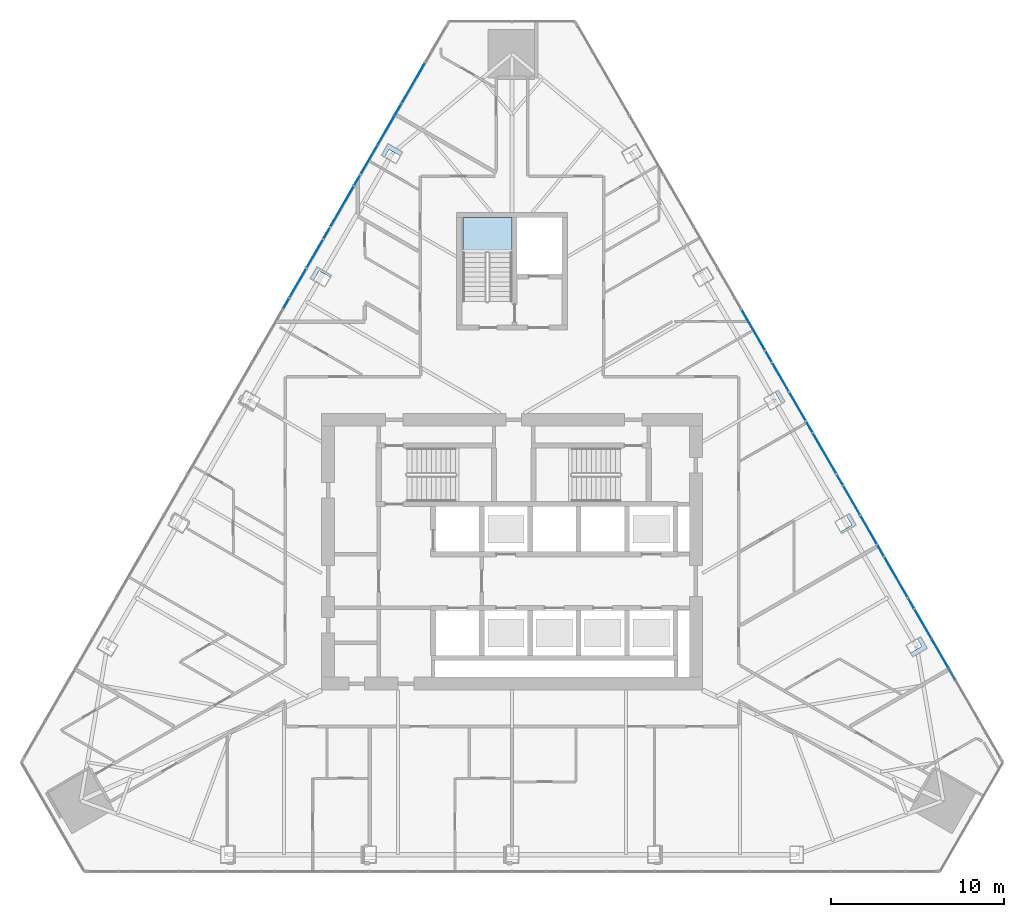
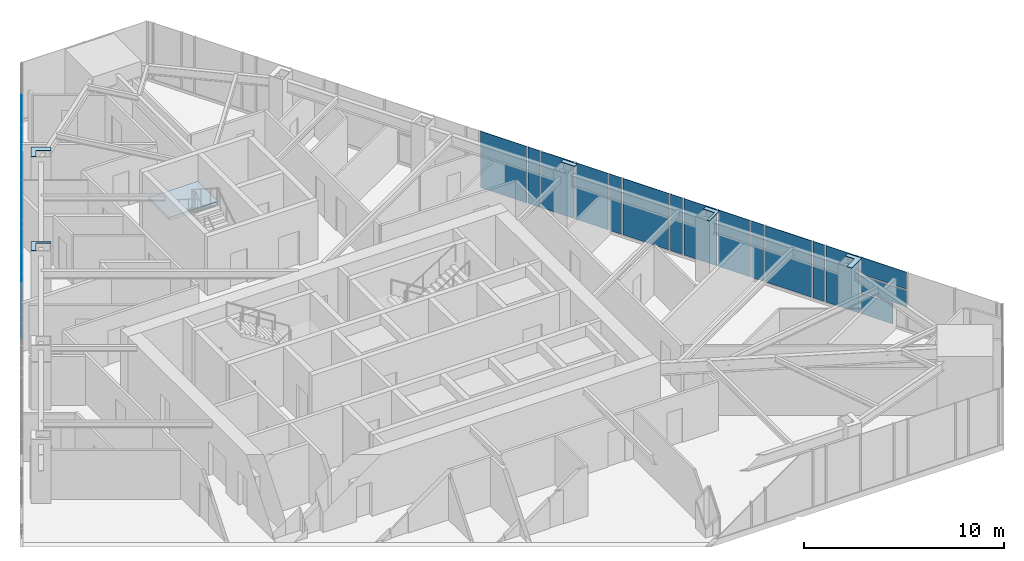
# One storey, part 16 of 24: 33 plates, 1 slab, 3 elements without a shape of their own.
"""IFC4 building model written with IfcOpenShell, lengths in metres."""

from ifc_helpers import new_model, si_unit, direction, frame, origin, place, context, subcontext, project, spatial, polyline, outline, extrude, material, layer, layer_set, type_object, element, aggregate, save


model = new_model("IFC4")

# Units and contexts
model_context = context("Model", 3, precision=1e-05, world=origin(), true_north=direction((0.0, 1.0)))
body_context = subcontext(model_context, "Body", "Model", "MODEL_VIEW")
ifc_project = project(units=[si_unit("LENGTHUNIT", "METRE"), si_unit("AREAUNIT", "SQUARE_METRE"), si_unit("VOLUMEUNIT", "CUBIC_METRE"), si_unit("PLANEANGLEUNIT", "RADIAN"), si_unit("MASSUNIT", "GRAM", prefix="KILO")], contexts=[model_context])

# Site, building, storey
site_placement = place(None, origin())
site = spatial("IfcSite", under=ifc_project, at=site_placement, CompositionType="ELEMENT")
building_placement = place(site_placement, origin())
building = spatial("IfcBuilding", under=site, at=building_placement, Name="Firuza Gate Tower and Library", CompositionType="ELEMENT")
storey_placement = place(building_placement, frame((0.0, 0.0, 237.699951171875)))
storey = spatial("IfcBuildingStorey", under=building, at=storey_placement, Name="L56", CompositionType="ELEMENT", Elevation=237.699951171875)

# Plates
ifc_material_1 = material(Name="Steel S355", Category="steel")
ifc_layer_1 = layer(ifc_material_1, 0.030029296875)
ifc_layer_set_1 = layer_set([ifc_layer_1], Name="Column infill plate 30 Steel S355")
plate_type_1 = type_object("IfcPlateType", Name="Column infill plate 30 Steel S355", PredefinedType="SHEET", material=ifc_layer_set_1)
placement_1 = place(storey_placement, frame((0.0, 0.0, 3.900146484375)))
element("IfcPlate", 1, at=placement_1, inside=storey, type_object=plate_type_1, Name="Infill plate L56:E1", PredefinedType="SHEET", context=body_context, shape_type="SweptSolid", body=[
    extrude(outline(polyline([(98.617431640625, 70.101318359375), (98.410400390625, 69.981689453125), (98.67236328125, 69.528076171875), (98.013427734375, 69.147705078125), (98.1513671875, 68.908447265625), (99.017333984375, 69.408447265625), (98.617431640625, 70.101318359375)])), origin(), (0.0, 0.0, 1.0), 0.02978515625),
])
element("IfcPlate", 2, at=placement_1, inside=storey, type_object=plate_type_1, Name="Infill plate L56:E2", PredefinedType="SHEET", context=body_context, shape_type="SweptSolid", body=[
    extrude(outline(polyline([(94.504638671875, 77.224853515625), (94.297607421875, 77.105224609375), (94.62841796875, 76.531982421875), (93.9697265625, 76.151611328125), (94.03857421875, 76.031982421875), (94.90478515625, 76.531982421875), (94.504638671875, 77.224853515625)])), origin(), (0.0, 0.0, 1.0), 0.02978515625),
])
element("IfcPlate", 3, at=placement_1, inside=storey, type_object=plate_type_1, Name="Infill plate L56:E3", PredefinedType="SHEET", context=body_context, shape_type="SweptSolid", body=[
    extrude(outline(polyline([(89.52587890625, 83.848388671875), (89.52587890625, 83.848388671875), (90.184814453125, 84.228759765625), (90.584716796875, 83.535888671875), (90.7919921875, 83.655517578125), (90.391845703125, 84.348388671875), (89.52587890625, 83.848388671875)])), origin(), (0.0, 0.0, 1.0), 0.02978515625),
])
element("IfcPlate", 4, at=placement_1, inside=storey, type_object=plate_type_1, Name="Infill plate L56:W1", PredefinedType="SHEET", context=body_context, shape_type="SweptSolid", body=[
    extrude(outline(polyline([(67.43359375, 97.902587890625), (67.640625, 97.782958984375), (67.902587890625, 98.23681640625), (68.5615234375, 97.856201171875), (68.69970703125, 98.095458984375), (67.833740234375, 98.595458984375), (67.43359375, 97.902587890625)])), origin(), (0.0, 0.0, 1.0), 0.02978515625),
])
element("IfcPlate", 5, at=placement_1, inside=storey, type_object=plate_type_1, Name="Infill plate L56:W2", PredefinedType="SHEET", context=body_context, shape_type="SweptSolid", body=[
    extrude(outline(polyline([(63.32080078125, 90.779052734375), (63.528076171875, 90.659423828125), (63.85888671875, 91.232666015625), (64.517822265625, 90.852294921875), (64.5869140625, 90.971923828125), (63.720947265625, 91.471923828125), (63.32080078125, 90.779052734375)])), origin(), (0.0, 0.0, 1.0), 0.02978515625),
])

# Curtain wall, plates
ifc_material_2 = material(Name="Aluminium 6063-T6", Category="aluminium")
ifc_layer_2 = layer(ifc_material_2, 0.14990234375)
ifc_layer_set_2 = layer_set([ifc_layer_2], Name="Unitised curtain wall, hotel")
curtain_wall_type = type_object("IfcCurtainWallType", Name="Unitised curtain wall, hotel", PredefinedType="NOTDEFINED", material=ifc_layer_set_2)
placement_2 = place(storey_placement, origin())
curtain_wall_1 = element("IfcCurtainWall", 6, at=placement_2, inside=storey, type_object=curtain_wall_type, Name="CW2 L56 E face", PredefinedType="NOTDEFINED")
ifc_material_3 = material(Name="Fritted glass", Category="glass")
ifc_layer_3 = layer(ifc_material_3, 0.030029296875)
ifc_layer_set_3 = layer_set([ifc_layer_3], Name="Fritted glass unit, hotel")
plate_type_2 = type_object("IfcPlateType", Name="Fritted glass unit, hotel", PredefinedType="CURTAIN_PANEL", material=ifc_layer_set_3)
plate_6_placement = place(storey_placement, frame((100.20263671875, 68.335693359375, 0.150146484375), z_axis=(0.865988083811, 0.50006463452, 0.0), x_axis=(-0.50006463452, 0.865988083811, 0.0)))
plate_6 = element("IfcPlate", 7, at=plate_6_placement, type_object=plate_type_2, Name="Glass unit", PredefinedType="CURTAIN_PANEL", context=body_context, shape_type="SweptSolid", body=[
    extrude(outline(polyline([(0.0, 0.0), (1.8527878356465508, 0.0), (1.8527878356465508, 1.260009765625), (0.0, 1.260009765625), (0.0, 0.0)])), origin(), (0.0, 0.0, -1.0), 0.030029296875),
])
plate_7_placement = place(storey_placement, frame((100.609619140625, 67.630859375, 1.489990234375), z_axis=(0.865991950723, 0.500057937927, 0.0), x_axis=(-0.500057937927, 0.865991950723, 0.0)))
plate_7 = element("IfcPlate", 8, at=plate_7_placement, type_object=plate_type_2, Name="Glass unit", PredefinedType="CURTAIN_PANEL", context=body_context, shape_type="SweptSolid", body=[
    extrude(outline(polyline([(0.0, 0.0), (2.666683183310937, 0.0), (2.666683183310937, 0.9951171875), (0.0, 0.9951171875), (0.0, 0.0)])), origin(), (0.0, 0.0, -1.0), 0.030029296875),
])
plate_8_placement = place(storey_placement, frame((100.609619140625, 67.630859375, 2.56494140625), z_axis=(0.865991950723, 0.500057937927, 0.0), x_axis=(-0.500057937927, 0.865991950723, 0.0)))
plate_8 = element("IfcPlate", 9, at=plate_8_placement, type_object=plate_type_2, Name="Glass unit", PredefinedType="CURTAIN_PANEL", context=body_context, shape_type="SweptSolid", body=[
    extrude(outline(polyline([(0.0, 0.0), (2.666683183310937, 0.0), (2.666683183310937, 1.03515625), (0.0, 1.03515625), (0.0, 0.0)])), origin(), (0.0, 0.0, -1.0), 0.030029296875),
])
plate_9_placement = place(storey_placement, frame((99.236328125, 70.009521484375, 0.150146484375), z_axis=(0.866008956876, 0.500028485799, 0.0), x_axis=(-0.500028485799, 0.866008956876, 0.0)))
plate_9 = element("IfcPlate", 10, at=plate_9_placement, type_object=plate_type_2, Name="Glass unit", PredefinedType="CURTAIN_PANEL", context=body_context, shape_type="SweptSolid", body=[
    extrude(outline(polyline([(0.0, 0.0), (1.9105356849806, 0.0), (1.9105356849806, 3.449951171875001), (0.0, 3.449951171875001), (0.0, 0.0)])), origin(), (0.0, 0.0, -1.0), 0.030029296875),
])
plate_10_placement = place(storey_placement, frame((96.08984375, 75.459228515625, 0.150146484375), z_axis=(0.866046247233, 0.49996389635, 0.0), x_axis=(-0.49996389635, 0.866046247233, 0.0)))
plate_10 = element("IfcPlate", 11, at=plate_10_placement, type_object=plate_type_2, Name="Glass unit", PredefinedType="CURTAIN_PANEL", context=body_context, shape_type="SweptSolid", body=[
    extrude(outline(polyline([(0.0, 0.0), (1.8673223343052783, 0.0), (1.8673223343052783, 3.449951171875), (0.0, 3.449951171875), (0.0, 0.0)])), origin(), (0.0, 0.0, -1.0), 0.030029296875),
])
plate_11_placement = place(storey_placement, frame((95.1162109375, 77.1455078125, 0.150146484375), z_axis=(0.866039783157, 0.499975093369, 0.0), x_axis=(-0.499975093369, 0.866039783157, 0.0)))
plate_11 = element("IfcPlate", 12, at=plate_11_placement, type_object=plate_type_2, Name="Glass unit", PredefinedType="CURTAIN_PANEL", context=body_context, shape_type="SweptSolid", body=[
    extrude(outline(polyline([(0.0, 0.0), (1.896090544205554, 0.0), (1.896090544205554, 3.449951171875), (0.0, 3.449951171875), (0.0, 0.0)])), origin(), (0.0, 0.0, -1.0), 0.030029296875),
])
plate_12_placement = place(storey_placement, frame((91.97705078125, 82.582763671875, 0.150146484375), z_axis=(0.866071079368, 0.499920879222, 0.0), x_axis=(-0.499920879222, 0.866071079368, 0.0)))
plate_12 = element("IfcPlate", 13, at=plate_12_placement, type_object=plate_type_2, Name="Glass unit", PredefinedType="CURTAIN_PANEL", context=body_context, shape_type="SweptSolid", body=[
    extrude(outline(polyline([(0.0, 0.0), (1.881645410748225, 0.0), (1.881645410748225, 3.449951171875), (0.0, 3.449951171875), (0.0, 0.0)])), origin(), (0.0, 0.0, -1.0), 0.030029296875),
])
plate_13_placement = place(storey_placement, frame((90.996337890625, 84.28173828125, 0.150146484375), z_axis=(0.865982457891, 0.500074377092, 0.0), x_axis=(-0.500074377092, 0.865982457891, 0.0)))
plate_13 = element("IfcPlate", 14, at=plate_13_placement, type_object=plate_type_2, Name="Glass unit", PredefinedType="CURTAIN_PANEL", context=body_context, shape_type="SweptSolid", body=[
    extrude(outline(polyline([(0.0, 0.0), (1.8815560481643998, 0.0), (1.8815560481643998, 3.449951171875), (0.0, 3.449951171875), (0.0, 0.0)])), origin(), (0.0, 0.0, -1.0), 0.030029296875),
])

curtain_wall_2 = element("IfcCurtainWall", 15, at=placement_2, inside=storey, type_object=curtain_wall_type, Name="CW2 L56 W face", PredefinedType="NOTDEFINED")
plate_14_placement = place(storey_placement, frame((68.170166015625, 100.158203125, 0.150146484375), z_axis=(-0.865988083811, 0.50006463452, 0.0), x_axis=(-0.50006463452, -0.865988083811, 0.0)))
plate_14 = element("IfcPlate", 16, at=plate_14_placement, type_object=plate_type_2, Name="Glass unit", PredefinedType="CURTAIN_PANEL", context=body_context, shape_type="SweptSolid", body=[
    extrude(outline(polyline([(0.0, 0.0), (1.8527878356465508, 0.0), (1.8527878356465508, 1.260009765625), (0.0, 1.260009765625), (0.0, 0.0)])), origin(), (0.0, 0.0, -1.0), 0.030029296875),
])
plate_15_placement = place(storey_placement, frame((68.5771484375, 100.863037109375, 1.489990234375), z_axis=(-0.865991950723, 0.500057937927, 0.0), x_axis=(-0.500057937927, -0.865991950723, 0.0)))
plate_15 = element("IfcPlate", 17, at=plate_15_placement, type_object=plate_type_2, Name="Glass unit", PredefinedType="CURTAIN_PANEL", context=body_context, shape_type="SweptSolid", body=[
    extrude(outline(polyline([(0.0, 0.0), (2.666683183310937, 0.0), (2.666683183310937, 0.9951171875), (0.0, 0.9951171875), (0.0, 0.0)])), origin(), (0.0, 0.0, -1.0), 0.030029296875),
])
plate_16_placement = place(storey_placement, frame((68.5771484375, 100.863037109375, 2.56494140625), z_axis=(-0.865991950723, 0.500057937927, 0.0), x_axis=(-0.500057937927, -0.865991950723, 0.0)))
plate_16 = element("IfcPlate", 18, at=plate_16_placement, type_object=plate_type_2, Name="Glass unit", PredefinedType="CURTAIN_PANEL", context=body_context, shape_type="SweptSolid", body=[
    extrude(outline(polyline([(0.0, 0.0), (2.666683183310937, 0.0), (2.666683183310937, 1.03515625), (0.0, 1.03515625), (0.0, 0.0)])), origin(), (0.0, 0.0, -1.0), 0.030029296875),
])
plate_17_placement = place(storey_placement, frame((67.20361328125, 98.484375, 0.150146484375), z_axis=(-0.866064290378, 0.499932640395, 0.0), x_axis=(-0.499932640395, -0.866064290378, 0.0)))
plate_17 = element("IfcPlate", 19, at=plate_17_placement, type_object=plate_type_2, Name="Glass unit", PredefinedType="CURTAIN_PANEL", context=body_context, shape_type="SweptSolid", body=[
    extrude(outline(polyline([(0.0, 0.0), (1.9104136194130636, 0.0), (1.9104136194130636, 3.449951171875), (0.0, 3.449951171875), (0.0, 0.0)])), origin(), (0.0, 0.0, -1.0), 0.030029296875),
])
plate_18_placement = place(storey_placement, frame((64.057373046875, 93.03466796875, 0.150146484375), z_axis=(-0.866013560478, 0.500020512648, 0.0), x_axis=(-0.500020512648, -0.866013560478, 0.0)))
plate_18 = element("IfcPlate", 20, at=plate_18_placement, type_object=plate_type_2, Name="Glass unit", PredefinedType="CURTAIN_PANEL", context=body_context, shape_type="SweptSolid", body=[
    extrude(outline(polyline([(0.0, 0.0), (1.8671109012230562, 0.0), (1.8671109012230562, 3.449951171875), (0.0, 3.449951171875), (0.0, 0.0)])), origin(), (0.0, 0.0, -1.0), 0.030029296875),
])
plate_19_placement = place(storey_placement, frame((63.083740234375, 91.348388671875, 0.150146484375), z_axis=(-0.866039783157, 0.499975093369, 0.0), x_axis=(-0.499975093369, -0.866039783157, 0.0)))
plate_19 = element("IfcPlate", 21, at=plate_19_placement, type_object=plate_type_2, Name="Glass unit", PredefinedType="CURTAIN_PANEL", context=body_context, shape_type="SweptSolid", body=[
    extrude(outline(polyline([(0.0, 0.0), (1.896090544205554, 0.0), (1.896090544205554, 3.449951171875), (0.0, 3.449951171875), (0.0, 0.0)])), origin(), (0.0, 0.0, -1.0), 0.030029296875),
])

# Plate
ifc_material_4 = material(Name="Glazed ceramic tile")
ifc_layer_4 = layer(ifc_material_4, 0.030029296875)
ifc_layer_set_4 = layer_set([ifc_layer_4], Name="Opaque ceramic panel, hotel")
plate_type_3 = type_object("IfcPlateType", Name="Opaque ceramic panel, hotel", PredefinedType="CURTAIN_PANEL", material=ifc_layer_set_4)
plate_20_placement = place(storey_placement, frame((98.240966796875, 71.7333984375, 0.150146484375), z_axis=(0.865945012053, 0.500139216719, 0.0), x_axis=(-0.500139216719, 0.865945012053, 0.0)))
plate_20 = element("IfcPlate", 22, at=plate_20_placement, type_object=plate_type_3, Name="Opaque ceramic panel", PredefinedType="CURTAIN_PANEL", context=body_context, shape_type="SweptSolid", body=[
    extrude(outline(polyline([(0.0, 0.0), (0.6760812876121177, 0.0), (0.6760812876121177, 3.449951171875), (0.0, 3.449951171875), (0.0, 0.0)])), origin(), (0.0, 0.0, -1.0), 0.030029296875),
])

plate_21_placement = place(storey_placement, frame((97.86279296875, 72.38818359375, 0.150146484375), z_axis=(0.866054481515, 0.499949632511, 0.0), x_axis=(-0.499949632511, 0.866054481515, 0.0)))
plate_21 = element("IfcPlate", 23, at=plate_21_placement, type_object=plate_type_3, Name="Opaque ceramic panel", PredefinedType="CURTAIN_PANEL", context=body_context, shape_type="SweptSolid", body=[
    extrude(outline(polyline([(0.0, 0.0), (2.6667725435239085, 0.0), (2.6667725435239085, 3.449951171875), (0.0, 3.449951171875), (0.0, 0.0)])), origin(), (0.0, 0.0, -1.0), 0.030029296875),
])

plate_22_placement = place(storey_placement, frame((96.489501953125, 74.766845703125, 0.150146484375), z_axis=(0.866168640637, 0.499751824386, 0.0), x_axis=(-0.499751824386, 0.866168640637, 0.0)))
plate_22 = element("IfcPlate", 24, at=plate_22_placement, type_object=plate_type_3, Name="Opaque ceramic panel", PredefinedType="CURTAIN_PANEL", context=body_context, shape_type="SweptSolid", body=[
    extrude(outline(polyline([(0.0, 0.0), (0.7195954533366005, 0.0), (0.7195954533366005, 3.449951171875), (0.0, 3.449951171875), (0.0, 0.0)])), origin(), (0.0, 0.0, -1.0), 0.030029296875),
])

plate_23_placement = place(storey_placement, frame((94.128173828125, 78.85693359375, 0.150146484375), z_axis=(0.866103179807, 0.499865263774, 0.0), x_axis=(-0.499865263774, 0.866103179807, 0.0)))
plate_23 = element("IfcPlate", 25, at=plate_23_placement, type_object=plate_type_3, Name="Opaque ceramic panel", PredefinedType="CURTAIN_PANEL", context=body_context, shape_type="SweptSolid", body=[
    extrude(outline(polyline([(0.0, 0.0), (0.6906157894297082, 0.0), (0.6906157894297082, 3.4499511718749996), (0.0, 3.4499511718749996), (0.0, 0.0)])), origin(), (0.0, 0.0, -1.0), 0.030029296875),
])

plate_24_placement = place(storey_placement, frame((93.742919921875, 79.524169921875, 0.150146484375), z_axis=(0.866054481515, 0.499949632511, 0.0), x_axis=(-0.499949632511, 0.866054481515, 0.0)))
plate_24 = element("IfcPlate", 26, at=plate_24_placement, type_object=plate_type_3, Name="Opaque ceramic panel", PredefinedType="CURTAIN_PANEL", context=body_context, shape_type="SweptSolid", body=[
    extrude(outline(polyline([(0.0, 0.0), (2.6667725435239085, 0.0), (2.6667725435239085, 3.449951171875), (0.0, 3.449951171875), (0.0, 0.0)])), origin(), (0.0, 0.0, -1.0), 0.030029296875),
])

plate_25_placement = place(storey_placement, frame((92.36962890625, 81.903076171875, 0.150146484375), z_axis=(0.86601836006, 0.500012199891, 0.0), x_axis=(-0.500012199891, 0.86601836006, 0.0)))
plate_25 = element("IfcPlate", 27, at=plate_25_placement, type_object=plate_type_3, Name="Opaque ceramic panel", PredefinedType="CURTAIN_PANEL", context=body_context, shape_type="SweptSolid", body=[
    extrude(outline(polyline([(0.0, 0.0), (0.7050609216678316, 0.0), (0.7050609216678316, 3.449951171875), (0.0, 3.449951171875), (0.0, 0.0)])), origin(), (0.0, 0.0, -1.0), 0.030029296875),
])

plate_26_placement = place(storey_placement, frame((90.015380859375, 85.98046875, 0.150146484375), z_axis=(0.86601836006, 0.500012199891, 0.0), x_axis=(-0.500012199891, 0.86601836006, 0.0)))
plate_26 = element("IfcPlate", 28, at=plate_26_placement, type_object=plate_type_3, Name="Opaque ceramic panel", PredefinedType="CURTAIN_PANEL", context=body_context, shape_type="SweptSolid", body=[
    extrude(outline(polyline([(0.0, 0.0), (0.7050609216678316, 0.0), (0.7050609216678316, 3.449951171875), (0.0, 3.449951171875), (0.0, 0.0)])), origin(), (0.0, 0.0, -1.0), 0.030029296875),
])

plate_27_placement = place(storey_placement, frame((89.623046875, 86.660400390625, 0.150146484375), z_axis=(0.865991950723, 0.500057937927, 0.0), x_axis=(-0.500057937927, 0.865991950723, 0.0)))
plate_27 = element("IfcPlate", 29, at=plate_27_placement, type_object=plate_type_3, Name="Opaque ceramic panel", PredefinedType="CURTAIN_PANEL", context=body_context, shape_type="SweptSolid", body=[
    extrude(outline(polyline([(0.0, 0.0), (2.666683183310937, 0.0), (2.666683183310937, 3.449951171875), (0.0, 3.449951171875), (0.0, 0.0)])), origin(), (0.0, 0.0, -1.0), 0.030029296875),
])

aggregate(curtain_wall_1, [plate_6, plate_7, plate_8, plate_9, plate_20, plate_21, plate_22, plate_10, plate_11, plate_23, plate_24, plate_25, plate_12, plate_13, plate_26, plate_27])

plate_28_placement = place(storey_placement, frame((69.950439453125, 103.24169921875, 0.150146484375), z_axis=(-0.865991950723, 0.500057937927, 0.0), x_axis=(-0.500057937927, -0.865991950723, 0.0)))
plate_28 = element("IfcPlate", 30, at=plate_28_placement, type_object=plate_type_3, Name="Opaque ceramic panel", PredefinedType="CURTAIN_PANEL", context=body_context, shape_type="SweptSolid", body=[
    extrude(outline(polyline([(0.0, 0.0), (2.666683183310937, 0.0), (2.666683183310937, 3.449951171875), (0.0, 3.449951171875), (0.0, 0.0)])), origin(), (0.0, 0.0, -1.0), 0.030029296875),
])

plate_29_placement = place(storey_placement, frame((68.5771484375, 100.863037109375, 0.150146484375), z_axis=(-0.86585866917, 0.500288681687, 0.0), x_axis=(-0.500288681687, -0.86585866917, 0.0)))
plate_29 = element("IfcPlate", 31, at=plate_29_placement, type_object=plate_type_3, Name="Opaque ceramic panel", PredefinedType="CURTAIN_PANEL", context=body_context, shape_type="SweptSolid", body=[
    extrude(outline(polyline([(0.0, 0.0), (0.7339512434339148, 0.0), (0.7339512434339148, 1.260009765625), (0.0, 1.260009765625), (0.0, 0.0)])), origin(), (0.0, 0.0, -1.0), 0.030029296875),
])

plate_30_placement = place(storey_placement, frame((66.20849609375, 96.7607421875, 0.150146484375), z_axis=(-0.866035297817, 0.499982862641, 0.0), x_axis=(-0.499982862641, -0.866035297817, 0.0)))
plate_30 = element("IfcPlate", 32, at=plate_30_placement, type_object=plate_type_3, Name="Opaque ceramic panel", PredefinedType="CURTAIN_PANEL", context=body_context, shape_type="SweptSolid", body=[
    extrude(outline(polyline([(0.0, 0.0), (0.6762927109915104, 0.0), (0.6762927109915104, 3.449951171875), (0.0, 3.449951171875), (0.0, 0.0)])), origin(), (0.0, 0.0, -1.0), 0.030029296875),
])

plate_31_placement = place(storey_placement, frame((65.830322265625, 96.105712890625, 0.150146484375), z_axis=(-0.866031596129, 0.499989274391, 0.0), x_axis=(-0.499989274391, -0.866031596129, 0.0)))
plate_31 = element("IfcPlate", 33, at=plate_31_placement, type_object=plate_type_3, Name="Opaque ceramic panel", PredefinedType="CURTAIN_PANEL", context=body_context, shape_type="SweptSolid", body=[
    extrude(outline(polyline([(0.0, 0.0), (2.6665611072350224, 0.0), (2.6665611072350224, 3.449951171875), (0.0, 3.449951171875), (0.0, 0.0)])), origin(), (0.0, 0.0, -1.0), 0.030029296875),
])

plate_32_placement = place(storey_placement, frame((64.45703125, 93.72705078125, 0.150146484375), z_axis=(-0.866083868743, 0.499898722045, 0.0), x_axis=(-0.499898722045, -0.866083868743, 0.0)))
plate_32 = element("IfcPlate", 34, at=plate_32_placement, type_object=plate_type_3, Name="Opaque ceramic panel", PredefinedType="CURTAIN_PANEL", context=body_context, shape_type="SweptSolid", body=[
    extrude(outline(polyline([(0.0, 0.0), (0.7193839967299308, 0.0), (0.7193839967299308, 3.449951171875), (0.0, 3.449951171875), (0.0, 0.0)])), origin(), (0.0, 0.0, -1.0), 0.030029296875),
])

plate_33_placement = place(storey_placement, frame((62.095703125, 89.63720703125, 0.150146484375), z_axis=(-0.866103179807, 0.499865263774, 0.0), x_axis=(-0.499865263774, -0.866103179807, 0.0)))
plate_33 = element("IfcPlate", 35, at=plate_33_placement, type_object=plate_type_3, Name="Opaque ceramic panel", PredefinedType="CURTAIN_PANEL", context=body_context, shape_type="SweptSolid", body=[
    extrude(outline(polyline([(0.0, 0.0), (0.6906157894297082, 0.0), (0.6906157894297082, 3.4499511718749996), (0.0, 3.4499511718749996), (0.0, 0.0)])), origin(), (0.0, 0.0, -1.0), 0.030029296875),
])

aggregate(curtain_wall_2, [plate_28, plate_29, plate_14, plate_15, plate_16, plate_17, plate_30, plate_31, plate_32, plate_18, plate_19, plate_33])

# Stair, slab
ifc_material_5 = material(Name="Concrete C35/45", Category="concrete")
stair_type = type_object("IfcStairType", Name="Exit stair ST16", PredefinedType="HALF_TURN_STAIR", material=ifc_material_5)
stair = element("IfcStair", 36, at=placement_2, inside=storey, type_object=stair_type, Name="L56 Stair ST3", PredefinedType="HALF_TURN_STAIR")
ifc_material_6 = material(Name="Concrete C35/45", Category="concrete")
ifc_layer_5 = layer(ifc_material_6, 0.199951171875)
ifc_layer_set_5 = layer_set([ifc_layer_5], Name="Stair landing 200")
slab_type = type_object("IfcSlabType", Name="Stair landing 200", PredefinedType="LANDING", material=ifc_layer_set_5)
slab_placement = place(storey_placement, frame((0.0, 0.0, 1.75)))
slab = element("IfcSlab", 37, at=slab_placement, type_object=slab_type, Name="ST3 landing 1", PredefinedType="LANDING", context=body_context, shape_type="SweptSolid", body=[
    extrude(outline(polyline([(75.0, 92.27001953125), (75.0, 94.300048828125), (72.159912109375, 94.300048828125), (72.159912109375, 92.27001953125), (75.0, 92.27001953125)])), origin(), (0.0, 0.0, 1.0), 0.199951171875),
])
aggregate(stair, [slab])

save(model, "model.ifc")
